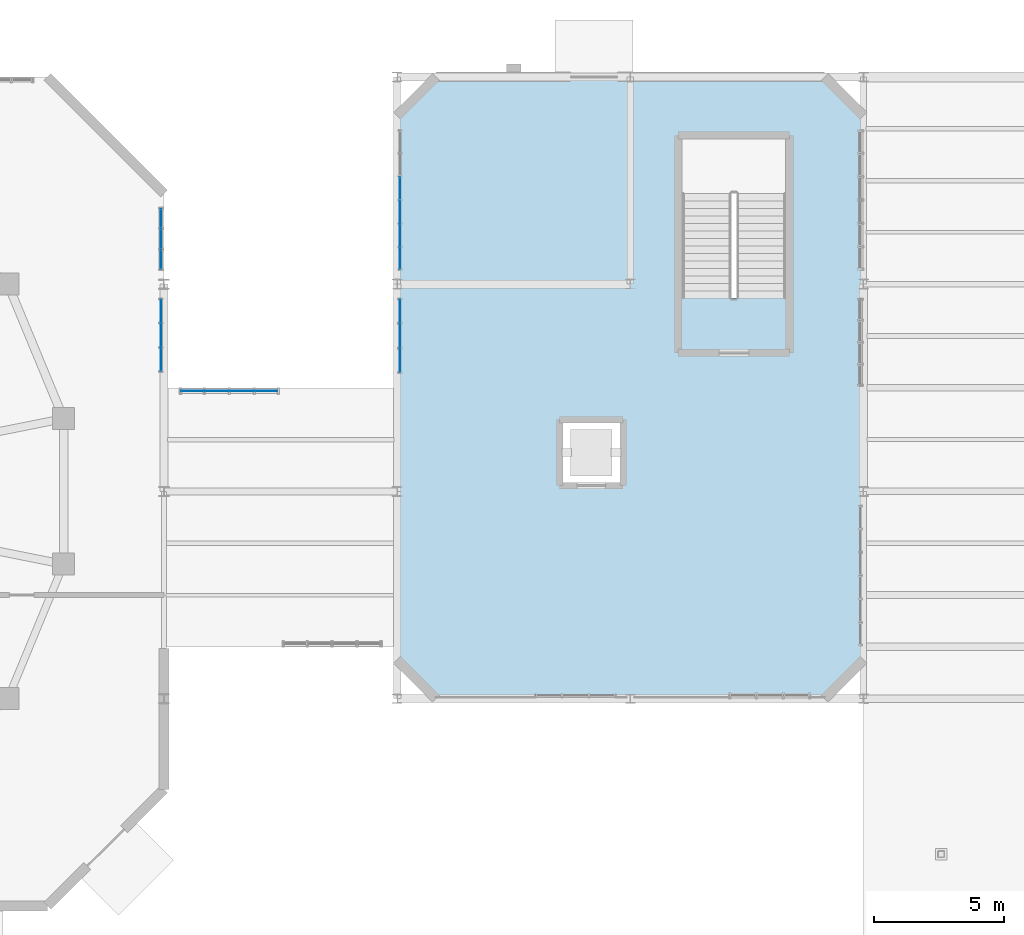
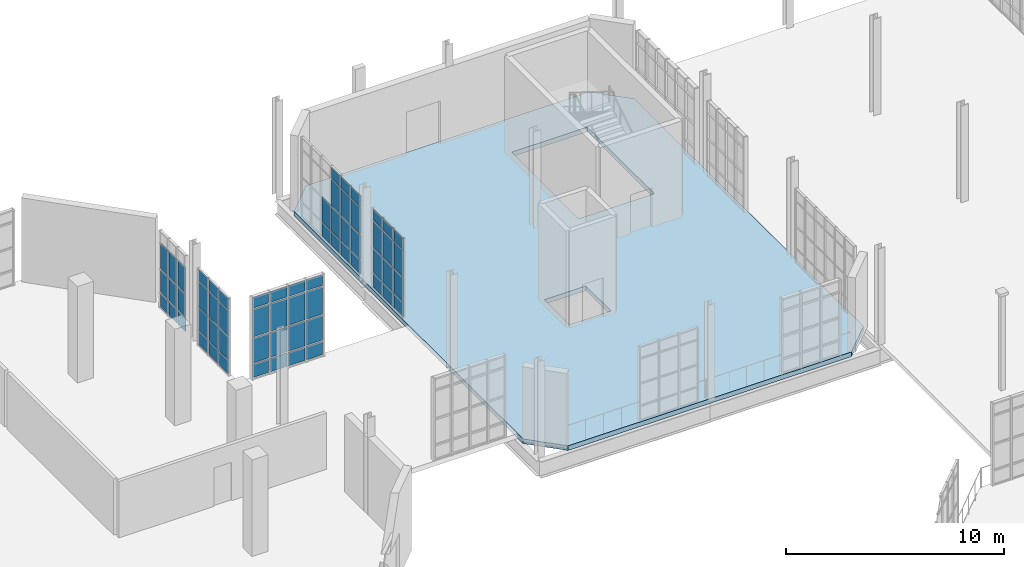
# One storey, part 159 of 189: 63 plates, 1 slab, 5 elements without a shape of their own.
"""IFC4 building model written with IfcOpenShell, lengths in metres."""

from ifc_helpers import new_model, si_unit, direction, frame, origin, origin_2d, place, context, subcontext, project, spatial, polyline, rectangle, outline, extrude, material, layer, layer_set, type_object, element, aggregate, save


model = new_model("IFC4")

# Units and contexts
model_context = context("Model", 3, precision=1e-05, world=origin(), true_north=direction((0.0, 1.0)))
body_context = subcontext(model_context, "Body", "Model", "MODEL_VIEW")
ifc_project = project(units=[si_unit("LENGTHUNIT", "METRE"), si_unit("AREAUNIT", "SQUARE_METRE"), si_unit("VOLUMEUNIT", "CUBIC_METRE"), si_unit("PLANEANGLEUNIT", "RADIAN"), si_unit("MASSUNIT", "GRAM", prefix="KILO"), si_unit("THERMODYNAMICTEMPERATUREUNIT", "KELVIN"), si_unit("POWERUNIT", "WATT")], contexts=[model_context])

# Site, building, storey
site_placement = place(None, origin())
site = spatial("IfcSite", under=ifc_project, at=site_placement, CompositionType="ELEMENT")
building_placement = place(site_placement, origin())
building = spatial("IfcBuilding", under=site, at=building_placement, Name="Zelmaris Science Centre", CompositionType="ELEMENT")
storey_placement = place(building_placement, origin())
storey = spatial("IfcBuildingStorey", under=building, at=storey_placement, Name="L00", CompositionType="ELEMENT", Elevation=0.0)

# Curtain wall, plates
ifc_material_1 = material(Name="Anodised architectural aluminium 6063-T6", Category="aluminium")
ifc_layer_1 = layer(ifc_material_1, 0.18994140625, Name="Anodised architectural aluminium 6063-T6")
ifc_layer_set_1 = layer_set([ifc_layer_1], Name="Anodised architectural aluminium 6063-T6")
curtain_wall_type_1 = type_object("IfcCurtainWallType", Name="Curtain Wall CW-01", PredefinedType="USERDEFINED", material=ifc_layer_set_1)
curtain_wall_1_placement = place(storey_placement, origin())
curtain_wall_1 = element("IfcCurtainWall", 1, at=curtain_wall_1_placement, inside=storey, type_object=curtain_wall_type_1, Name="L00 Unitised curtain wall 25", ObjectType="GLAZED CURTAIN WALL", PredefinedType="USERDEFINED")
ifc_material_2 = material(Name="Laminated hurricane-rated low-E insulated glazing", Category="glass")
ifc_layer_2 = layer(ifc_material_2, 0.031982421875, Name="Laminated hurricane-rated low-E insulated glazing")
ifc_layer_set_2 = layer_set([ifc_layer_2], Name="Laminated hurricane-rated low-E insulated glazing")
plate_type_1 = type_object("IfcPlateType", Name="Curtain Glazing Panel CWP-1 32mm", PredefinedType="CURTAIN_PANEL", material=ifc_layer_set_2)
plate_1_placement = place(storey_placement, frame((46.097900390625, 75.8798828125, 0.05712890625), z_axis=(0.0, 0.0, 1.0), x_axis=(1.0, 0.0, 0.0)))
plate_1 = element("IfcPlate", 2, at=plate_1_placement, type_object=plate_type_1, Name="CW-01 panel 1.1", PredefinedType="CURTAIN_PANEL", context=body_context, shape_type="SweptSolid", body=[
    extrude(rectangle(XDim=0.85205078125, YDim=0.031982421875, at=origin_2d()), origin(), (0.0, 0.0, 1.0), 0.741943359375),
])
plate_2_placement = place(storey_placement, frame((46.097900390625, 75.8798828125, 0.87109375), z_axis=(0.0, 0.0, 1.0), x_axis=(1.0, 0.0, 0.0)))
plate_2 = element("IfcPlate", 3, at=plate_2_placement, type_object=plate_type_1, Name="CW-01 panel 1.2", PredefinedType="CURTAIN_PANEL", context=body_context, shape_type="SweptSolid", body=[
    extrude(rectangle(XDim=0.85205078125, YDim=0.031982421875, at=origin_2d()), origin(), (0.0, 0.0, 1.0), 1.385498046875),
])
plate_3_placement = place(storey_placement, frame((46.097900390625, 75.8798828125, 2.32861328125), z_axis=(0.0, 0.0, 1.0), x_axis=(1.0, 0.0, 0.0)))
plate_3 = element("IfcPlate", 4, at=plate_3_placement, type_object=plate_type_1, Name="CW-01 panel 1.3", PredefinedType="CURTAIN_PANEL", context=body_context, shape_type="SweptSolid", body=[
    extrude(rectangle(XDim=0.85205078125, YDim=0.031982421875, at=origin_2d()), origin(), (0.0, 0.0, 1.0), 1.535400390625),
])
plate_4_placement = place(storey_placement, frame((46.097900390625, 75.8798828125, 3.93603515625), z_axis=(0.0, 0.0, 1.0), x_axis=(1.0, 0.0, 0.0)))
plate_4 = element("IfcPlate", 5, at=plate_4_placement, type_object=plate_type_1, Name="CW-01 panel 1.4", PredefinedType="CURTAIN_PANEL", context=body_context, shape_type="SweptSolid", body=[
    extrude(rectangle(XDim=0.85205078125, YDim=0.031982421875, at=origin_2d()), origin(), (0.0, 0.0, 1.0), 0.592041015625),
])
plate_5_placement = place(storey_placement, frame((47.0400390625, 75.8798828125, 0.05712890625), z_axis=(0.0, 0.0, 1.0), x_axis=(1.0, 0.0, 0.0)))
plate_5 = element("IfcPlate", 6, at=plate_5_placement, type_object=plate_type_1, Name="CW-01 panel 2.1", PredefinedType="CURTAIN_PANEL", context=body_context, shape_type="SweptSolid", body=[
    extrude(rectangle(XDim=0.887939453125, YDim=0.031982421875, at=origin_2d()), origin(), (0.0, 0.0, 1.0), 0.741943359375),
])
plate_6_placement = place(storey_placement, frame((47.0400390625, 75.8798828125, 0.87109375), z_axis=(0.0, 0.0, 1.0), x_axis=(1.0, 0.0, 0.0)))
plate_6 = element("IfcPlate", 7, at=plate_6_placement, type_object=plate_type_1, Name="CW-01 panel 2.2", PredefinedType="CURTAIN_PANEL", context=body_context, shape_type="SweptSolid", body=[
    extrude(rectangle(XDim=0.887939453125, YDim=0.031982421875, at=origin_2d()), origin(), (0.0, 0.0, 1.0), 1.385498046875),
])
plate_7_placement = place(storey_placement, frame((47.0400390625, 75.8798828125, 2.32861328125), z_axis=(0.0, 0.0, 1.0), x_axis=(1.0, 0.0, 0.0)))
plate_7 = element("IfcPlate", 8, at=plate_7_placement, type_object=plate_type_1, Name="CW-01 panel 2.3", PredefinedType="CURTAIN_PANEL", context=body_context, shape_type="SweptSolid", body=[
    extrude(rectangle(XDim=0.887939453125, YDim=0.031982421875, at=origin_2d()), origin(), (0.0, 0.0, 1.0), 1.535400390625),
])
plate_8_placement = place(storey_placement, frame((47.0400390625, 75.8798828125, 3.93603515625), z_axis=(0.0, 0.0, 1.0), x_axis=(1.0, 0.0, 0.0)))
plate_8 = element("IfcPlate", 9, at=plate_8_placement, type_object=plate_type_1, Name="CW-01 panel 2.4", PredefinedType="CURTAIN_PANEL", context=body_context, shape_type="SweptSolid", body=[
    extrude(rectangle(XDim=0.887939453125, YDim=0.031982421875, at=origin_2d()), origin(), (0.0, 0.0, 1.0), 0.592041015625),
])
plate_9_placement = place(storey_placement, frame((48.0, 75.8798828125, 0.05712890625), z_axis=(0.0, 0.0, 1.0), x_axis=(1.0, 0.0, 0.0)))
plate_9 = element("IfcPlate", 10, at=plate_9_placement, type_object=plate_type_1, Name="CW-01 panel 3.1", PredefinedType="CURTAIN_PANEL", context=body_context, shape_type="SweptSolid", body=[
    extrude(rectangle(XDim=0.887939453125, YDim=0.031982421875, at=origin_2d()), origin(), (0.0, 0.0, 1.0), 0.741943359375),
])
plate_10_placement = place(storey_placement, frame((48.0, 75.8798828125, 0.87109375), z_axis=(0.0, 0.0, 1.0), x_axis=(1.0, 0.0, 0.0)))
plate_10 = element("IfcPlate", 11, at=plate_10_placement, type_object=plate_type_1, Name="CW-01 panel 3.2", PredefinedType="CURTAIN_PANEL", context=body_context, shape_type="SweptSolid", body=[
    extrude(rectangle(XDim=0.887939453125, YDim=0.031982421875, at=origin_2d()), origin(), (0.0, 0.0, 1.0), 1.385498046875),
])
plate_11_placement = place(storey_placement, frame((48.0, 75.8798828125, 2.32861328125), z_axis=(0.0, 0.0, 1.0), x_axis=(1.0, 0.0, 0.0)))
plate_11 = element("IfcPlate", 12, at=plate_11_placement, type_object=plate_type_1, Name="CW-01 panel 3.3", PredefinedType="CURTAIN_PANEL", context=body_context, shape_type="SweptSolid", body=[
    extrude(rectangle(XDim=0.887939453125, YDim=0.031982421875, at=origin_2d()), origin(), (0.0, 0.0, 1.0), 1.535400390625),
])
plate_12_placement = place(storey_placement, frame((48.0, 75.8798828125, 3.93603515625), z_axis=(0.0, 0.0, 1.0), x_axis=(1.0, 0.0, 0.0)))
plate_12 = element("IfcPlate", 13, at=plate_12_placement, type_object=plate_type_1, Name="CW-01 panel 3.4", PredefinedType="CURTAIN_PANEL", context=body_context, shape_type="SweptSolid", body=[
    extrude(rectangle(XDim=0.887939453125, YDim=0.031982421875, at=origin_2d()), origin(), (0.0, 0.0, 1.0), 0.592041015625),
])
plate_13_placement = place(storey_placement, frame((48.94189453125, 75.8798828125, 0.05712890625), z_axis=(0.0, 0.0, 1.0), x_axis=(1.0, 0.0, 0.0)))
plate_13 = element("IfcPlate", 14, at=plate_13_placement, type_object=plate_type_1, Name="CW-01 panel 4.1", PredefinedType="CURTAIN_PANEL", context=body_context, shape_type="SweptSolid", body=[
    extrude(rectangle(XDim=0.85205078125, YDim=0.031982421875, at=origin_2d()), origin(), (0.0, 0.0, 1.0), 0.741943359375),
])
plate_14_placement = place(storey_placement, frame((48.94189453125, 75.8798828125, 0.87109375), z_axis=(0.0, 0.0, 1.0), x_axis=(1.0, 0.0, 0.0)))
plate_14 = element("IfcPlate", 15, at=plate_14_placement, type_object=plate_type_1, Name="CW-01 panel 4.2", PredefinedType="CURTAIN_PANEL", context=body_context, shape_type="SweptSolid", body=[
    extrude(rectangle(XDim=0.85205078125, YDim=0.031982421875, at=origin_2d()), origin(), (0.0, 0.0, 1.0), 1.385498046875),
])
plate_15_placement = place(storey_placement, frame((48.94189453125, 75.8798828125, 2.32861328125), z_axis=(0.0, 0.0, 1.0), x_axis=(1.0, 0.0, 0.0)))
plate_15 = element("IfcPlate", 16, at=plate_15_placement, type_object=plate_type_1, Name="CW-01 panel 4.3", PredefinedType="CURTAIN_PANEL", context=body_context, shape_type="SweptSolid", body=[
    extrude(rectangle(XDim=0.85205078125, YDim=0.031982421875, at=origin_2d()), origin(), (0.0, 0.0, 1.0), 1.535400390625),
])
plate_16_placement = place(storey_placement, frame((48.94189453125, 75.8798828125, 3.93603515625), z_axis=(0.0, 0.0, 1.0), x_axis=(1.0, 0.0, 0.0)))
plate_16 = element("IfcPlate", 17, at=plate_16_placement, type_object=plate_type_1, Name="CW-01 panel 4.4", PredefinedType="CURTAIN_PANEL", context=body_context, shape_type="SweptSolid", body=[
    extrude(rectangle(XDim=0.85205078125, YDim=0.031982421875, at=origin_2d()), origin(), (0.0, 0.0, 1.0), 0.592041015625),
])
aggregate(curtain_wall_1, [plate_1, plate_2, plate_3, plate_4, plate_5, plate_6, plate_7, plate_8, plate_9, plate_10, plate_11, plate_12, plate_13, plate_14, plate_15, plate_16])

ifc_layer_3 = layer(ifc_material_1, 0.2099609375, Name="Anodised architectural aluminium 6063-T6")
ifc_layer_set_3 = layer_set([ifc_layer_3], Name="Anodised architectural aluminium 6063-T6")
curtain_wall_type_2 = type_object("IfcCurtainWallType", Name="Curtain Wall CW-03", PredefinedType="USERDEFINED", material=ifc_layer_set_3)
curtain_wall_2_placement = place(storey_placement, origin())
curtain_wall_2 = element("IfcCurtainWall", 18, at=curtain_wall_2_placement, inside=storey, type_object=curtain_wall_type_2, Name="L00 Unitised curtain wall 23", ObjectType="GLAZED CURTAIN WALL", PredefinedType="USERDEFINED")
ifc_layer_4 = layer(ifc_material_2, 0.02587890625, Name="Laminated hurricane-rated low-E insulated glazing")
ifc_layer_set_4 = layer_set([ifc_layer_4], Name="Laminated hurricane-rated low-E insulated glazing")
plate_type_2 = type_object("IfcPlateType", Name="Curtain Glazing Panel CWP-3 26mm", PredefinedType="CURTAIN_PANEL", material=ifc_layer_set_4)
plate_17_placement = place(storey_placement, frame((44.8798828125, 82.54248046875, 0.0419921875), z_axis=(0.0, 0.0, 1.0), x_axis=(4.1322311e-05, -0.999999999146, 0.0)))
plate_17 = element("IfcPlate", 19, at=plate_17_placement, type_object=plate_type_2, Name="CW-03 panel 1.1", PredefinedType="CURTAIN_PANEL", context=body_context, shape_type="SweptSolid", body=[
    extrude(rectangle(XDim=0.72119140625, YDim=0.02587890625, at=origin_2d()), origin(), (0.0, 0.0, 1.0), 0.764404296875),
])
plate_18_placement = place(storey_placement, frame((44.8798828125, 82.54248046875, 0.86328125), z_axis=(0.0, 0.0, 1.0), x_axis=(4.1322311e-05, -0.999999999146, 0.0)))
plate_18 = element("IfcPlate", 20, at=plate_18_placement, type_object=plate_type_2, Name="CW-03 panel 1.2", PredefinedType="CURTAIN_PANEL", context=body_context, shape_type="SweptSolid", body=[
    extrude(rectangle(XDim=0.72119140625, YDim=0.02587890625, at=origin_2d()), origin(), (0.0, 0.0, 1.0), 1.261962890625),
])
plate_19_placement = place(storey_placement, frame((44.8798828125, 82.54248046875, 2.182373046875), z_axis=(0.0, 0.0, 1.0), x_axis=(4.1322311e-05, -0.999999999146, 0.0)))
plate_19 = element("IfcPlate", 21, at=plate_19_placement, type_object=plate_type_2, Name="CW-03 panel 1.3", PredefinedType="CURTAIN_PANEL", context=body_context, shape_type="SweptSolid", body=[
    extrude(rectangle(XDim=0.72119140625, YDim=0.02587890625, at=origin_2d()), origin(), (0.0, 0.0, 1.0), 1.412109375),
])
plate_20_placement = place(storey_placement, frame((44.8798828125, 81.75, 0.0419921875), z_axis=(0.0, 0.0, 1.0), x_axis=(4.1322311e-05, -0.999999999146, 0.0)))
plate_20 = element("IfcPlate", 22, at=plate_20_placement, type_object=plate_type_2, Name="CW-03 panel 2.1", PredefinedType="CURTAIN_PANEL", context=body_context, shape_type="SweptSolid", body=[
    extrude(rectangle(XDim=0.749755859375, YDim=0.02587890625, at=origin_2d()), origin(), (0.0, 0.0, 1.0), 0.764404296875),
])
plate_21_placement = place(storey_placement, frame((44.8798828125, 81.75, 0.86328125), z_axis=(0.0, 0.0, 1.0), x_axis=(4.1322311e-05, -0.999999999146, 0.0)))
plate_21 = element("IfcPlate", 23, at=plate_21_placement, type_object=plate_type_2, Name="CW-03 panel 2.2", PredefinedType="CURTAIN_PANEL", context=body_context, shape_type="SweptSolid", body=[
    extrude(rectangle(XDim=0.749755859375, YDim=0.02587890625, at=origin_2d()), origin(), (0.0, 0.0, 1.0), 1.261962890625),
])
plate_22_placement = place(storey_placement, frame((44.8798828125, 81.75, 2.182373046875), z_axis=(0.0, 0.0, 1.0), x_axis=(4.1322311e-05, -0.999999999146, 0.0)))
plate_22 = element("IfcPlate", 24, at=plate_22_placement, type_object=plate_type_2, Name="CW-03 panel 2.3", PredefinedType="CURTAIN_PANEL", context=body_context, shape_type="SweptSolid", body=[
    extrude(rectangle(XDim=0.749755859375, YDim=0.02587890625, at=origin_2d()), origin(), (0.0, 0.0, 1.0), 1.412109375),
])
plate_23_placement = place(storey_placement, frame((44.8798828125, 80.95751953125, 0.0419921875), z_axis=(0.0, 0.0, 1.0), x_axis=(4.1322311e-05, -0.999999999146, 0.0)))
plate_23 = element("IfcPlate", 25, at=plate_23_placement, type_object=plate_type_2, Name="CW-03 panel 3.1", PredefinedType="CURTAIN_PANEL", context=body_context, shape_type="SweptSolid", body=[
    extrude(rectangle(XDim=0.72119140625, YDim=0.02587890625, at=origin_2d()), origin(), (0.0, 0.0, 1.0), 0.764404296875),
])
plate_24_placement = place(storey_placement, frame((44.8798828125, 80.95751953125, 0.86328125), z_axis=(0.0, 0.0, 1.0), x_axis=(4.1322311e-05, -0.999999999146, 0.0)))
plate_24 = element("IfcPlate", 26, at=plate_24_placement, type_object=plate_type_2, Name="CW-03 panel 3.2", PredefinedType="CURTAIN_PANEL", context=body_context, shape_type="SweptSolid", body=[
    extrude(rectangle(XDim=0.72119140625, YDim=0.02587890625, at=origin_2d()), origin(), (0.0, 0.0, 1.0), 1.261962890625),
])
plate_25_placement = place(storey_placement, frame((44.8798828125, 80.95751953125, 2.182373046875), z_axis=(0.0, 0.0, 1.0), x_axis=(4.1322311e-05, -0.999999999146, 0.0)))
plate_25 = element("IfcPlate", 27, at=plate_25_placement, type_object=plate_type_2, Name="CW-03 panel 3.3", PredefinedType="CURTAIN_PANEL", context=body_context, shape_type="SweptSolid", body=[
    extrude(rectangle(XDim=0.72119140625, YDim=0.02587890625, at=origin_2d()), origin(), (0.0, 0.0, 1.0), 1.412109375),
])
aggregate(curtain_wall_2, [plate_17, plate_18, plate_19, plate_20, plate_21, plate_22, plate_23, plate_24, plate_25])

curtain_wall_3_placement = place(storey_placement, origin())
curtain_wall_3 = element("IfcCurtainWall", 28, at=curtain_wall_3_placement, inside=storey, type_object=curtain_wall_type_2, Name="L00 Unitised curtain wall 27", ObjectType="GLAZED CURTAIN WALL", PredefinedType="USERDEFINED")
plate_26_placement = place(storey_placement, frame((54.107666015625, 77.05908203125, 0.0419921875), z_axis=(0.0, 0.0, 1.0), x_axis=(0.001311202764, 0.999999140373, 0.0)))
plate_26 = element("IfcPlate", 29, at=plate_26_placement, type_object=plate_type_2, Name="CW-03 panel 1.1", PredefinedType="CURTAIN_PANEL", context=body_context, shape_type="SweptSolid", body=[
    extrude(rectangle(XDim=0.880615234375, YDim=0.02587890625, at=origin_2d()), origin(), (0.0, 0.0, 1.0), 0.764404296875),
])
plate_27_placement = place(storey_placement, frame((54.107666015625, 77.05908203125, 0.86328125), z_axis=(0.0, 0.0, 1.0), x_axis=(0.001311202764, 0.999999140373, 0.0)))
plate_27 = element("IfcPlate", 30, at=plate_27_placement, type_object=plate_type_2, Name="CW-03 panel 1.2", PredefinedType="CURTAIN_PANEL", context=body_context, shape_type="SweptSolid", body=[
    extrude(rectangle(XDim=0.880615234375, YDim=0.02587890625, at=origin_2d()), origin(), (0.0, 0.0, 1.0), 1.343505859375),
])
plate_28_placement = place(storey_placement, frame((54.107666015625, 77.05908203125, 2.26416015625), z_axis=(0.0, 0.0, 1.0), x_axis=(0.001311202764, 0.999999140373, 0.0)))
plate_28 = element("IfcPlate", 31, at=plate_28_placement, type_object=plate_type_2, Name="CW-03 panel 1.3", PredefinedType="CURTAIN_PANEL", context=body_context, shape_type="SweptSolid", body=[
    extrude(rectangle(XDim=0.880615234375, YDim=0.02587890625, at=origin_2d()), origin(), (0.0, 0.0, 1.0), 1.493408203125),
])
plate_29_placement = place(storey_placement, frame((54.107666015625, 77.05908203125, 3.814453125), z_axis=(0.0, 0.0, 1.0), x_axis=(0.001311202764, 0.999999140373, 0.0)))
plate_29 = element("IfcPlate", 32, at=plate_29_placement, type_object=plate_type_2, Name="CW-03 panel 1.4", PredefinedType="CURTAIN_PANEL", context=body_context, shape_type="SweptSolid", body=[
    extrude(rectangle(XDim=0.880615234375, YDim=0.02587890625, at=origin_2d()), origin(), (0.0, 0.0, 1.0), 0.614501953125),
])
plate_30_placement = place(storey_placement, frame((54.10888671875, 78.0107421875, 0.0419921875), z_axis=(0.0, 0.0, 1.0), x_axis=(0.001311202764, 0.999999140373, 0.0)))
plate_30 = element("IfcPlate", 33, at=plate_30_placement, type_object=plate_type_2, Name="CW-03 panel 2.1", PredefinedType="CURTAIN_PANEL", context=body_context, shape_type="SweptSolid", body=[
    extrude(rectangle(XDim=0.908935546875, YDim=0.02587890625, at=origin_2d()), origin(), (0.0, 0.0, 1.0), 0.764404296875),
])
plate_31_placement = place(storey_placement, frame((54.10888671875, 78.0107421875, 0.86328125), z_axis=(0.0, 0.0, 1.0), x_axis=(0.001311202764, 0.999999140373, 0.0)))
plate_31 = element("IfcPlate", 34, at=plate_31_placement, type_object=plate_type_2, Name="CW-03 panel 2.2", PredefinedType="CURTAIN_PANEL", context=body_context, shape_type="SweptSolid", body=[
    extrude(rectangle(XDim=0.908935546875, YDim=0.02587890625, at=origin_2d()), origin(), (0.0, 0.0, 1.0), 1.343505859375),
])
plate_32_placement = place(storey_placement, frame((54.10888671875, 78.0107421875, 2.26416015625), z_axis=(0.0, 0.0, 1.0), x_axis=(0.001311202764, 0.999999140373, 0.0)))
plate_32 = element("IfcPlate", 35, at=plate_32_placement, type_object=plate_type_2, Name="CW-03 panel 2.3", PredefinedType="CURTAIN_PANEL", context=body_context, shape_type="SweptSolid", body=[
    extrude(rectangle(XDim=0.908935546875, YDim=0.02587890625, at=origin_2d()), origin(), (0.0, 0.0, 1.0), 1.493408203125),
])
plate_33_placement = place(storey_placement, frame((54.10888671875, 78.0107421875, 3.814453125), z_axis=(0.0, 0.0, 1.0), x_axis=(0.001311202764, 0.999999140373, 0.0)))
plate_33 = element("IfcPlate", 36, at=plate_33_placement, type_object=plate_type_2, Name="CW-03 panel 2.4", PredefinedType="CURTAIN_PANEL", context=body_context, shape_type="SweptSolid", body=[
    extrude(rectangle(XDim=0.908935546875, YDim=0.02587890625, at=origin_2d()), origin(), (0.0, 0.0, 1.0), 0.614501953125),
])
plate_34_placement = place(storey_placement, frame((54.1103515625, 78.962646484375, 0.0419921875), z_axis=(0.0, 0.0, 1.0), x_axis=(0.001311202764, 0.999999140373, 0.0)))
plate_34 = element("IfcPlate", 37, at=plate_34_placement, type_object=plate_type_2, Name="CW-03 panel 3.1", PredefinedType="CURTAIN_PANEL", context=body_context, shape_type="SweptSolid", body=[
    extrude(rectangle(XDim=0.880615234375, YDim=0.02587890625, at=origin_2d()), origin(), (0.0, 0.0, 1.0), 0.764404296875),
])
plate_35_placement = place(storey_placement, frame((54.1103515625, 78.962646484375, 0.86328125), z_axis=(0.0, 0.0, 1.0), x_axis=(0.001311202764, 0.999999140373, 0.0)))
plate_35 = element("IfcPlate", 38, at=plate_35_placement, type_object=plate_type_2, Name="CW-03 panel 3.2", PredefinedType="CURTAIN_PANEL", context=body_context, shape_type="SweptSolid", body=[
    extrude(rectangle(XDim=0.880615234375, YDim=0.02587890625, at=origin_2d()), origin(), (0.0, 0.0, 1.0), 1.343505859375),
])
plate_36_placement = place(storey_placement, frame((54.1103515625, 78.962646484375, 2.26416015625), z_axis=(0.0, 0.0, 1.0), x_axis=(0.001311202764, 0.999999140373, 0.0)))
plate_36 = element("IfcPlate", 39, at=plate_36_placement, type_object=plate_type_2, Name="CW-03 panel 3.3", PredefinedType="CURTAIN_PANEL", context=body_context, shape_type="SweptSolid", body=[
    extrude(rectangle(XDim=0.880615234375, YDim=0.02587890625, at=origin_2d()), origin(), (0.0, 0.0, 1.0), 1.493408203125),
])
plate_37_placement = place(storey_placement, frame((54.1103515625, 78.962646484375, 3.814453125), z_axis=(0.0, 0.0, 1.0), x_axis=(0.001311202764, 0.999999140373, 0.0)))
plate_37 = element("IfcPlate", 40, at=plate_37_placement, type_object=plate_type_2, Name="CW-03 panel 3.4", PredefinedType="CURTAIN_PANEL", context=body_context, shape_type="SweptSolid", body=[
    extrude(rectangle(XDim=0.880615234375, YDim=0.02587890625, at=origin_2d()), origin(), (0.0, 0.0, 1.0), 0.614501953125),
])
aggregate(curtain_wall_3, [plate_26, plate_27, plate_28, plate_29, plate_30, plate_31, plate_32, plate_33, plate_34, plate_35, plate_36, plate_37])

ifc_layer_5 = layer(ifc_material_1, 0.219970703125, Name="Anodised architectural aluminium 6063-T6")
ifc_layer_set_5 = layer_set([ifc_layer_5], Name="Anodised architectural aluminium 6063-T6")
curtain_wall_type_3 = type_object("IfcCurtainWallType", Name="Curtain Wall CW-04", PredefinedType="USERDEFINED", material=ifc_layer_set_5)
curtain_wall_4_placement = place(storey_placement, origin())
curtain_wall_4 = element("IfcCurtainWall", 41, at=curtain_wall_4_placement, inside=storey, type_object=curtain_wall_type_3, Name="L00 Unitised curtain wall 24", ObjectType="GLAZED CURTAIN WALL", PredefinedType="USERDEFINED")
ifc_layer_6 = layer(ifc_material_2, 0.02392578125, Name="Laminated hurricane-rated low-E insulated glazing")
ifc_layer_set_6 = layer_set([ifc_layer_6], Name="Laminated hurricane-rated low-E insulated glazing")
plate_type_3 = type_object("IfcPlateType", Name="Curtain Glazing Panel CWP-4 24mm", PredefinedType="CURTAIN_PANEL", material=ifc_layer_set_6)
plate_38_placement = place(storey_placement, frame((44.8798828125, 78.97021484375, 0.037109375), z_axis=(0.0, 0.0, 1.0), x_axis=(0.0, -1.0, 0.0)))
plate_38 = element("IfcPlate", 42, at=plate_38_placement, type_object=plate_type_3, Name="CW-04 panel 1.1", PredefinedType="CURTAIN_PANEL", context=body_context, shape_type="SweptSolid", body=[
    extrude(rectangle(XDim=0.875244140625, YDim=0.02392578125, at=origin_2d()), origin(), (0.0, 0.0, 1.0), 0.77197265625),
])
plate_39_placement = place(storey_placement, frame((44.8798828125, 78.97021484375, 0.86083984375), z_axis=(0.0, 0.0, 1.0), x_axis=(0.0, -1.0, 0.0)))
plate_39 = element("IfcPlate", 43, at=plate_39_placement, type_object=plate_type_3, Name="CW-04 panel 1.2", PredefinedType="CURTAIN_PANEL", context=body_context, shape_type="SweptSolid", body=[
    extrude(rectangle(XDim=0.875244140625, YDim=0.02392578125, at=origin_2d()), origin(), (0.0, 0.0, 1.0), 1.26708984375),
])
plate_40_placement = place(storey_placement, frame((44.8798828125, 78.97021484375, 2.179931640625), z_axis=(0.0, 0.0, 1.0), x_axis=(0.0, -1.0, 0.0)))
plate_40 = element("IfcPlate", 44, at=plate_40_placement, type_object=plate_type_3, Name="CW-04 panel 1.3", PredefinedType="CURTAIN_PANEL", context=body_context, shape_type="SweptSolid", body=[
    extrude(rectangle(XDim=0.875244140625, YDim=0.02392578125, at=origin_2d()), origin(), (0.0, 0.0, 1.0), 1.4169921875),
])
plate_41_placement = place(storey_placement, frame((44.8798828125, 78.97021484375, 3.64892578125), z_axis=(0.0, 0.0, 1.0), x_axis=(0.0, -1.0, 0.0)))
plate_41 = element("IfcPlate", 45, at=plate_41_placement, type_object=plate_type_3, Name="CW-04 panel 1.4", PredefinedType="CURTAIN_PANEL", context=body_context, shape_type="SweptSolid", body=[
    extrude(rectangle(XDim=0.875244140625, YDim=0.02392578125, at=origin_2d()), origin(), (0.0, 0.0, 1.0), 0.6220703125),
])
plate_42_placement = place(storey_placement, frame((44.8798828125, 78.030029296875, 0.037109375), z_axis=(0.0, 0.0, 1.0), x_axis=(0.0, -1.0, 0.0)))
plate_42 = element("IfcPlate", 46, at=plate_42_placement, type_object=plate_type_3, Name="CW-04 panel 2.1", PredefinedType="CURTAIN_PANEL", context=body_context, shape_type="SweptSolid", body=[
    extrude(rectangle(XDim=0.9013671875, YDim=0.02392578125, at=origin_2d()), origin(), (0.0, 0.0, 1.0), 0.77197265625),
])
plate_43_placement = place(storey_placement, frame((44.8798828125, 78.030029296875, 0.86083984375), z_axis=(0.0, 0.0, 1.0), x_axis=(0.0, -1.0, 0.0)))
plate_43 = element("IfcPlate", 47, at=plate_43_placement, type_object=plate_type_3, Name="CW-04 panel 2.2", PredefinedType="CURTAIN_PANEL", context=body_context, shape_type="SweptSolid", body=[
    extrude(rectangle(XDim=0.9013671875, YDim=0.02392578125, at=origin_2d()), origin(), (0.0, 0.0, 1.0), 1.26708984375),
])
plate_44_placement = place(storey_placement, frame((44.8798828125, 78.030029296875, 2.179931640625), z_axis=(0.0, 0.0, 1.0), x_axis=(0.0, -1.0, 0.0)))
plate_44 = element("IfcPlate", 48, at=plate_44_placement, type_object=plate_type_3, Name="CW-04 panel 2.3", PredefinedType="CURTAIN_PANEL", context=body_context, shape_type="SweptSolid", body=[
    extrude(rectangle(XDim=0.9013671875, YDim=0.02392578125, at=origin_2d()), origin(), (0.0, 0.0, 1.0), 1.4169921875),
])
plate_45_placement = place(storey_placement, frame((44.8798828125, 78.030029296875, 3.64892578125), z_axis=(0.0, 0.0, 1.0), x_axis=(0.0, -1.0, 0.0)))
plate_45 = element("IfcPlate", 49, at=plate_45_placement, type_object=plate_type_3, Name="CW-04 panel 2.4", PredefinedType="CURTAIN_PANEL", context=body_context, shape_type="SweptSolid", body=[
    extrude(rectangle(XDim=0.9013671875, YDim=0.02392578125, at=origin_2d()), origin(), (0.0, 0.0, 1.0), 0.6220703125),
])
plate_46_placement = place(storey_placement, frame((44.8798828125, 77.089599609375, 0.037109375), z_axis=(0.0, 0.0, 1.0), x_axis=(0.0, -1.0, 0.0)))
plate_46 = element("IfcPlate", 50, at=plate_46_placement, type_object=plate_type_3, Name="CW-04 panel 3.1", PredefinedType="CURTAIN_PANEL", context=body_context, shape_type="SweptSolid", body=[
    extrude(rectangle(XDim=0.875244140625, YDim=0.02392578125, at=origin_2d()), origin(), (0.0, 0.0, 1.0), 0.77197265625),
])
plate_47_placement = place(storey_placement, frame((44.8798828125, 77.089599609375, 0.86083984375), z_axis=(0.0, 0.0, 1.0), x_axis=(0.0, -1.0, 0.0)))
plate_47 = element("IfcPlate", 51, at=plate_47_placement, type_object=plate_type_3, Name="CW-04 panel 3.2", PredefinedType="CURTAIN_PANEL", context=body_context, shape_type="SweptSolid", body=[
    extrude(rectangle(XDim=0.875244140625, YDim=0.02392578125, at=origin_2d()), origin(), (0.0, 0.0, 1.0), 1.26708984375),
])
plate_48_placement = place(storey_placement, frame((44.8798828125, 77.089599609375, 2.179931640625), z_axis=(0.0, 0.0, 1.0), x_axis=(0.0, -1.0, 0.0)))
plate_48 = element("IfcPlate", 52, at=plate_48_placement, type_object=plate_type_3, Name="CW-04 panel 3.3", PredefinedType="CURTAIN_PANEL", context=body_context, shape_type="SweptSolid", body=[
    extrude(rectangle(XDim=0.875244140625, YDim=0.02392578125, at=origin_2d()), origin(), (0.0, 0.0, 1.0), 1.4169921875),
])
plate_49_placement = place(storey_placement, frame((44.8798828125, 77.089599609375, 3.64892578125), z_axis=(0.0, 0.0, 1.0), x_axis=(0.0, -1.0, 0.0)))
plate_49 = element("IfcPlate", 53, at=plate_49_placement, type_object=plate_type_3, Name="CW-04 panel 3.4", PredefinedType="CURTAIN_PANEL", context=body_context, shape_type="SweptSolid", body=[
    extrude(rectangle(XDim=0.875244140625, YDim=0.02392578125, at=origin_2d()), origin(), (0.0, 0.0, 1.0), 0.6220703125),
])
aggregate(curtain_wall_4, [plate_38, plate_39, plate_40, plate_41, plate_42, plate_43, plate_44, plate_45, plate_46, plate_47, plate_48, plate_49])

curtain_wall_5_placement = place(storey_placement, origin())
curtain_wall_5 = element("IfcCurtainWall", 54, at=curtain_wall_5_placement, inside=storey, type_object=curtain_wall_type_3, Name="L00 Unitised curtain wall 28", ObjectType="GLAZED CURTAIN WALL", PredefinedType="USERDEFINED")
plate_50_placement = place(storey_placement, frame((54.11279296875, 81.00439453125, 0.037109375), z_axis=(0.0, 0.0, 1.0), x_axis=(0.001309961976, 0.999999141999, 0.0)))
plate_50 = element("IfcPlate", 55, at=plate_50_placement, type_object=plate_type_3, Name="CW-04 panel 1.1", PredefinedType="CURTAIN_PANEL", context=body_context, shape_type="SweptSolid", body=[
    extrude(rectangle(XDim=0.825439453125, YDim=0.02392578125, at=origin_2d()), origin(), (0.0, 0.0, 1.0), 0.77197265625),
])
plate_51_placement = place(storey_placement, frame((54.11279296875, 81.00439453125, 0.86083984375), z_axis=(0.0, 0.0, 1.0), x_axis=(0.001309961976, 0.999999141999, 0.0)))
plate_51 = element("IfcPlate", 56, at=plate_51_placement, type_object=plate_type_3, Name="CW-04 panel 1.2", PredefinedType="CURTAIN_PANEL", context=body_context, shape_type="SweptSolid", body=[
    extrude(rectangle(XDim=0.825439453125, YDim=0.02392578125, at=origin_2d()), origin(), (0.0, 0.0, 1.0), 1.348388671875),
])
plate_52_placement = place(storey_placement, frame((54.11279296875, 81.00439453125, 2.261474609375), z_axis=(0.0, 0.0, 1.0), x_axis=(0.001309961976, 0.999999141999, 0.0)))
plate_52 = element("IfcPlate", 57, at=plate_52_placement, type_object=plate_type_3, Name="CW-04 panel 1.3", PredefinedType="CURTAIN_PANEL", context=body_context, shape_type="SweptSolid", body=[
    extrude(rectangle(XDim=0.825439453125, YDim=0.02392578125, at=origin_2d()), origin(), (0.0, 0.0, 1.0), 1.49853515625),
])
plate_53_placement = place(storey_placement, frame((54.11279296875, 81.00439453125, 3.81201171875), z_axis=(0.0, 0.0, 1.0), x_axis=(0.001309961976, 0.999999141999, 0.0)))
plate_53 = element("IfcPlate", 58, at=plate_53_placement, type_object=plate_type_3, Name="CW-04 panel 1.4", PredefinedType="CURTAIN_PANEL", context=body_context, shape_type="SweptSolid", body=[
    extrude(rectangle(XDim=0.825439453125, YDim=0.02392578125, at=origin_2d()), origin(), (0.0, 0.0, 1.0), 0.6220703125),
])
plate_54_placement = place(storey_placement, frame((54.114013671875, 81.894775390625, 0.037109375), z_axis=(0.0, 0.0, 1.0), x_axis=(0.001309961976, 0.999999141999, 0.0)))
plate_54 = element("IfcPlate", 59, at=plate_54_placement, type_object=plate_type_3, Name="CW-04 panel 2.1", PredefinedType="CURTAIN_PANEL", context=body_context, shape_type="SweptSolid", body=[
    extrude(rectangle(XDim=0.851318359375, YDim=0.02392578125, at=origin_2d()), origin(), (0.0, 0.0, 1.0), 0.77197265625),
])
plate_55_placement = place(storey_placement, frame((54.114013671875, 81.894775390625, 0.86083984375), z_axis=(0.0, 0.0, 1.0), x_axis=(0.001309961976, 0.999999141999, 0.0)))
plate_55 = element("IfcPlate", 60, at=plate_55_placement, type_object=plate_type_3, Name="CW-04 panel 2.2", PredefinedType="CURTAIN_PANEL", context=body_context, shape_type="SweptSolid", body=[
    extrude(rectangle(XDim=0.851318359375, YDim=0.02392578125, at=origin_2d()), origin(), (0.0, 0.0, 1.0), 1.348388671875),
])
plate_56_placement = place(storey_placement, frame((54.114013671875, 81.894775390625, 2.261474609375), z_axis=(0.0, 0.0, 1.0), x_axis=(0.001309961976, 0.999999141999, 0.0)))
plate_56 = element("IfcPlate", 61, at=plate_56_placement, type_object=plate_type_3, Name="CW-04 panel 2.3", PredefinedType="CURTAIN_PANEL", context=body_context, shape_type="SweptSolid", body=[
    extrude(rectangle(XDim=0.851318359375, YDim=0.02392578125, at=origin_2d()), origin(), (0.0, 0.0, 1.0), 1.49853515625),
])
plate_57_placement = place(storey_placement, frame((54.114013671875, 81.894775390625, 3.81201171875), z_axis=(0.0, 0.0, 1.0), x_axis=(0.001309961976, 0.999999141999, 0.0)))
plate_57 = element("IfcPlate", 62, at=plate_57_placement, type_object=plate_type_3, Name="CW-04 panel 2.4", PredefinedType="CURTAIN_PANEL", context=body_context, shape_type="SweptSolid", body=[
    extrude(rectangle(XDim=0.851318359375, YDim=0.02392578125, at=origin_2d()), origin(), (0.0, 0.0, 1.0), 0.6220703125),
])
plate_58_placement = place(storey_placement, frame((54.115234375, 82.798095703125, 0.037109375), z_axis=(0.0, 0.0, 1.0), x_axis=(0.001309961976, 0.999999141999, 0.0)))
plate_58 = element("IfcPlate", 63, at=plate_58_placement, type_object=plate_type_3, Name="CW-04 panel 3.1", PredefinedType="CURTAIN_PANEL", context=body_context, shape_type="SweptSolid", body=[
    extrude(rectangle(XDim=0.851318359375, YDim=0.02392578125, at=origin_2d()), origin(), (0.0, 0.0, 1.0), 0.77197265625),
])
plate_59_placement = place(storey_placement, frame((54.115234375, 82.798095703125, 0.86083984375), z_axis=(0.0, 0.0, 1.0), x_axis=(0.001309961976, 0.999999141999, 0.0)))
plate_59 = element("IfcPlate", 64, at=plate_59_placement, type_object=plate_type_3, Name="CW-04 panel 3.2", PredefinedType="CURTAIN_PANEL", context=body_context, shape_type="SweptSolid", body=[
    extrude(rectangle(XDim=0.851318359375, YDim=0.02392578125, at=origin_2d()), origin(), (0.0, 0.0, 1.0), 1.348388671875),
])
plate_60_placement = place(storey_placement, frame((54.115234375, 82.798095703125, 2.261474609375), z_axis=(0.0, 0.0, 1.0), x_axis=(0.001309961976, 0.999999141999, 0.0)))
plate_60 = element("IfcPlate", 65, at=plate_60_placement, type_object=plate_type_3, Name="CW-04 panel 3.3", PredefinedType="CURTAIN_PANEL", context=body_context, shape_type="SweptSolid", body=[
    extrude(rectangle(XDim=0.851318359375, YDim=0.02392578125, at=origin_2d()), origin(), (0.0, 0.0, 1.0), 1.49853515625),
])
plate_61_placement = place(storey_placement, frame((54.115234375, 82.798095703125, 3.81201171875), z_axis=(0.0, 0.0, 1.0), x_axis=(0.001309961976, 0.999999141999, 0.0)))
plate_61 = element("IfcPlate", 66, at=plate_61_placement, type_object=plate_type_3, Name="CW-04 panel 3.4", PredefinedType="CURTAIN_PANEL", context=body_context, shape_type="SweptSolid", body=[
    extrude(rectangle(XDim=0.851318359375, YDim=0.02392578125, at=origin_2d()), origin(), (0.0, 0.0, 1.0), 0.6220703125),
])
plate_62_placement = place(storey_placement, frame((54.116455078125, 83.701416015625, 0.037109375), z_axis=(0.0, 0.0, 1.0), x_axis=(0.001309961976, 0.999999141999, 0.0)))
plate_62 = element("IfcPlate", 67, at=plate_62_placement, type_object=plate_type_3, Name="CW-04 panel 4.1", PredefinedType="CURTAIN_PANEL", context=body_context, shape_type="SweptSolid", body=[
    extrude(rectangle(XDim=0.851318359375, YDim=0.02392578125, at=origin_2d()), origin(), (0.0, 0.0, 1.0), 0.77197265625),
])
plate_63_placement = place(storey_placement, frame((54.116455078125, 83.701416015625, 0.86083984375), z_axis=(0.0, 0.0, 1.0), x_axis=(0.001309961976, 0.999999141999, 0.0)))
plate_63 = element("IfcPlate", 68, at=plate_63_placement, type_object=plate_type_3, Name="CW-04 panel 4.2", PredefinedType="CURTAIN_PANEL", context=body_context, shape_type="SweptSolid", body=[
    extrude(rectangle(XDim=0.851318359375, YDim=0.02392578125, at=origin_2d()), origin(), (0.0, 0.0, 1.0), 1.348388671875),
])
aggregate(curtain_wall_5, [plate_50, plate_51, plate_52, plate_53, plate_54, plate_55, plate_56, plate_57, plate_58, plate_59, plate_60, plate_61, plate_62, plate_63])

# Slab
ifc_material_3 = material(Name="Concrete C35/45", Category="concrete")
ifc_layer_7 = layer(ifc_material_3, 0.260009765625, Name="Concrete C35/45")
ifc_layer_set_7 = layer_set([ifc_layer_7], Name="Concrete C35/45")
slab_type = type_object("IfcSlabType", Name="Slab SL-FL260 260mm", PredefinedType="FLOOR", material=ifc_layer_set_7)
slab_placement = place(storey_placement, frame((0.0, 0.0, -0.260009765625)))
element("IfcSlab", 69, at=slab_placement, inside=storey, type_object=slab_type, Name="L00 North-west gallery foyer slab", PredefinedType="FLOOR", context=body_context, shape_type="SweptSolid", body=[
    extrude(outline(polyline([(54.0, 65.5), (54.0, 86.5), (55.5, 88.0), (70.5, 88.0), (72.0, 86.5), (72.0, 65.5), (70.5, 64.0), (55.5, 64.0), (54.0, 65.5)]), holes=[polyline([(69.0, 79.469970703125), (69.0, 85.60009765625), (65.0, 85.60009765625), (65.0, 79.469970703125), (69.0, 79.469970703125)]), polyline([(60.39990234375, 72.35009765625), (62.60009765625, 72.35009765625), (62.60009765625, 74.64990234375), (60.39990234375, 74.64990234375), (60.39990234375, 72.35009765625)])]), origin(), (0.0, 0.0, 1.0), 0.260009765625),
])

save(model, "model.ifc")
